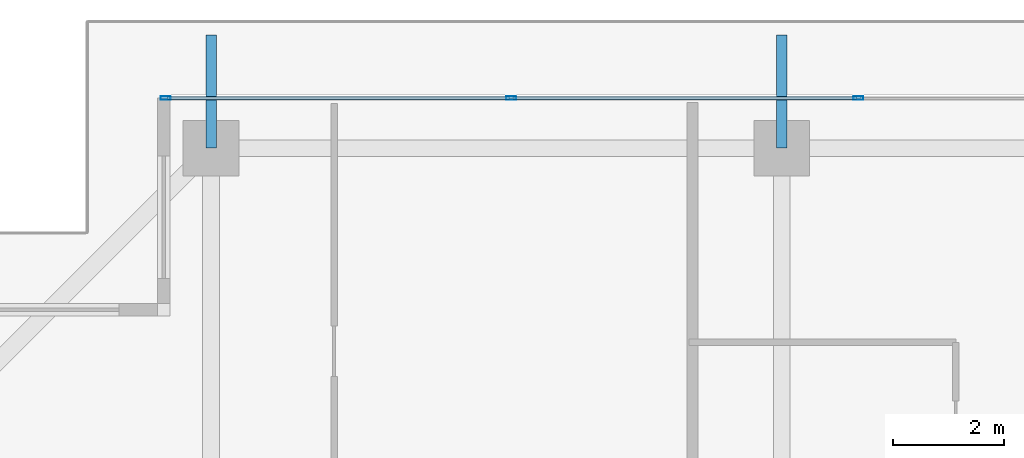
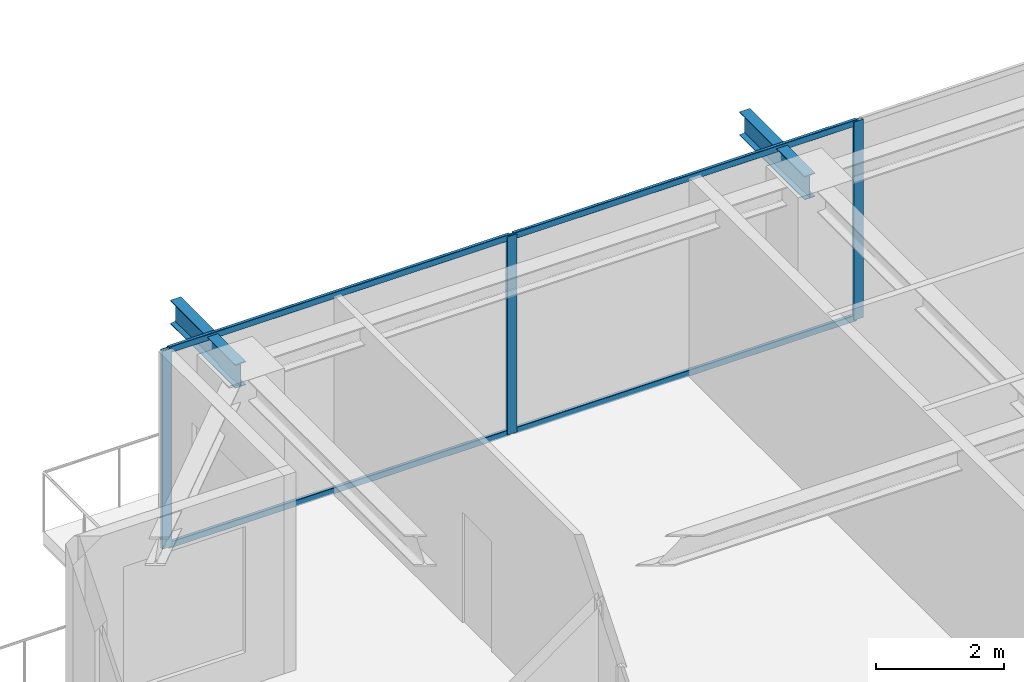
# One storey, part 21 of 38: 7 members, 2 beams, 1 element without a shape of its own.
"""IFC4 building model written with IfcOpenShell, lengths in metres."""

from ifc_helpers import new_model, si_unit, direction, frame, origin, origin_2d, place, context, subcontext, project, spatial, hollow_rectangle, i_section, extrude, source, transform, mapped, material, layer, layer_set, material_profile, profile_set, type_object, element, aggregate, save


model = new_model("IFC4")

# Units and contexts
model_context = context("Model", 3, precision=1e-05, world=origin(), true_north=direction((0.0, 1.0)))
body_context = subcontext(model_context, "Body", "Model", "MODEL_VIEW")
ifc_project = project(units=[si_unit("LENGTHUNIT", "METRE"), si_unit("AREAUNIT", "SQUARE_METRE"), si_unit("VOLUMEUNIT", "CUBIC_METRE"), si_unit("PLANEANGLEUNIT", "RADIAN"), si_unit("MASSUNIT", "GRAM", prefix="KILO")], contexts=[model_context])

# Site, building, storey
site_placement = place(None, origin())
site = spatial("IfcSite", under=ifc_project, at=site_placement, CompositionType="ELEMENT")
building_placement = place(site_placement, origin())
building = spatial("IfcBuilding", under=site, at=building_placement, Name="Serunith Strait Residences", CompositionType="ELEMENT")
storey_placement = place(building_placement, frame((0.0, 0.0, 321.800048828125)))
storey = spatial("IfcBuildingStorey", under=building, at=storey_placement, Name="L80", CompositionType="ELEMENT", Elevation=321.800048828125)

# Beams
ifc_material_1 = material(Name="Steel S355J2", Category="steel")
ifc_material_profile_1 = material_profile(ifc_material_1, i_section(OverallWidth=0.18994140625, OverallDepth=0.449951171875, WebThickness=0.009521484375, FlangeThickness=0.0146484375, FilletRadius=0.02099609375, at=origin_2d()), Name="IPE 450")
ifc_profile_set_1 = profile_set([ifc_material_profile_1], Name="Steel S355J2")
beam_type = type_object("IfcBeamType", Name="BM-IPE450", PredefinedType="JOIST", material=ifc_profile_set_1)
shared_shape_1 = source(origin(), body_context, "Body", "SweptSolid", [
    extrude(i_section(OverallWidth=0.18994140625, OverallDepth=0.449951171875, WebThickness=0.009521484375, FlangeThickness=0.0146484375, FilletRadius=0.02099609375, at=origin_2d()), origin(), (0.0, 0.0, 1.0), 2.02978515625),
])
for number, where, z_axis, x_axis, name in (
    (1, (17.64990234375, 47.10009765625, 3.531982421875), (0.0, 1.0, 0.0), (-1.0, 0.0, 0.0), "L81 Cantilevered Balcony Rib TC-N1"),
    (2, (27.89990234375, 47.10009765625, 3.531982421875), (0.0, 1.0, 0.0), (-1.0, 0.0, 0.0), "L81 Cantilevered Balcony Rib TC-N2"),
):
    element("IfcBeam", number, at=place(storey_placement, frame(where, z_axis=z_axis, x_axis=x_axis)), inside=storey, type_object=beam_type, Name=name, PredefinedType="JOIST", context=body_context, shape_type="MappedRepresentation", body=[
        mapped(shared_shape_1, transform((0.0, 0.0, 0.0), scale=1.0)),
    ])

# Curtain wall, members
ifc_material_2 = material(Name="Brushed Stainless-Silver Aluminium", Category="aluminium")
ifc_layer = layer(ifc_material_2, 0.199951171875, Name="Brushed Stainless-Silver Aluminium")
ifc_layer_set = layer_set([ifc_layer], Name="Brushed Stainless-Silver Aluminium")
curtain_wall_type = type_object("IfcCurtainWallType", Name="CW-SYS5", PredefinedType="NOTDEFINED", material=ifc_layer_set)
curtain_wall_placement = place(storey_placement, origin())
curtain_wall = element("IfcCurtainWall", 3, at=curtain_wall_placement, inside=storey, type_object=curtain_wall_type, Name="L80 N Unitised Fritted Curtain Wall", PredefinedType="NOTDEFINED")
ifc_material_profile_2 = material_profile(ifc_material_2, hollow_rectangle(XDim=0.06005859375, YDim=0.1201171875, WallThickness=0.00341796875, InnerFilletRadius=0.00537109375, OuterFilletRadius=0.0087890625, at=origin_2d()), Name="ALU 120x60x3.5")
ifc_profile_set_2 = profile_set([ifc_material_profile_2], Name="Brushed Stainless-Silver Aluminium")
member_type_1 = type_object("IfcMemberType", Name="CW-SYS5-TRAN", PredefinedType="USERDEFINED", material=ifc_profile_set_2)
shared_shape_2 = source(origin(), body_context, "Body", "SweptSolid", [
    extrude(hollow_rectangle(XDim=0.06005859375, YDim=0.1201171875, WallThickness=0.00341796875, InnerFilletRadius=0.00537109375, OuterFilletRadius=0.0087890625, at=origin_2d()), origin(), (0.0, 0.0, 1.0), 6.142578125),
])
member_1_placement = place(storey_placement, frame((23.007568359375, 48.0, 0.030029296875), z_axis=(-1.0, 0.0, 0.0), x_axis=(0.0, -1.0, 0.0)))
member_1 = element("IfcMember", 4, at=member_1_placement, type_object=member_type_1, Name="CW-5 transom 5.1", ObjectType="TRANSOM", PredefinedType="USERDEFINED", context=body_context, shape_type="MappedRepresentation", body=[
    mapped(shared_shape_2, transform((0.0, 0.0, 0.0), scale=1.0)),
])
member_2_placement = place(storey_placement, frame((23.007568359375, 48.0, 3.744873046875), z_axis=(-1.0, 0.0, 0.0), x_axis=(0.0, -1.0, 0.0)))
member_2 = element("IfcMember", 5, at=member_2_placement, type_object=member_type_1, Name="CW-5 transom 5.2", ObjectType="TRANSOM", PredefinedType="USERDEFINED", context=body_context, shape_type="MappedRepresentation", body=[
    mapped(shared_shape_2, transform((0.0, 0.0, 0.0), scale=1.0)),
])
shared_shape_3 = source(origin(), body_context, "Body", "SweptSolid", [
    extrude(hollow_rectangle(XDim=0.06005859375, YDim=0.1201171875, WallThickness=0.00341796875, InnerFilletRadius=0.00537109375, OuterFilletRadius=0.0087890625, at=origin_2d()), origin(), (0.0, 0.0, 1.0), 6.175048828125),
])
member_3_placement = place(storey_placement, frame((29.24755859375, 48.0, 0.030029296875), z_axis=(-1.0, 0.0, 0.0), x_axis=(0.0, -1.0, 0.0)))
member_3 = element("IfcMember", 6, at=member_3_placement, type_object=member_type_1, Name="CW-5 transom 4.1", ObjectType="TRANSOM", PredefinedType="USERDEFINED", context=body_context, shape_type="MappedRepresentation", body=[
    mapped(shared_shape_3, transform((0.0, 0.0, 0.0), scale=1.0)),
])
member_4_placement = place(storey_placement, frame((29.24755859375, 48.0, 3.744873046875), z_axis=(-1.0, 0.0, 0.0), x_axis=(0.0, -1.0, 0.0)))
member_4 = element("IfcMember", 7, at=member_4_placement, type_object=member_type_1, Name="CW-5 transom 4.2", ObjectType="TRANSOM", PredefinedType="USERDEFINED", context=body_context, shape_type="MappedRepresentation", body=[
    mapped(shared_shape_3, transform((0.0, 0.0, 0.0), scale=1.0)),
])
ifc_material_profile_3 = material_profile(ifc_material_2, hollow_rectangle(XDim=0.06494140625, YDim=0.179931640625, WallThickness=0.00341796875, InnerFilletRadius=0.00537109375, OuterFilletRadius=0.0087890625, at=origin_2d()), Name="ALU 180x65x3.5")
ifc_profile_set_3 = profile_set([ifc_material_profile_3], Name="Brushed Stainless-Silver Aluminium")
member_type_2 = type_object("IfcMemberType", Name="CW-SYS5-MULL", PredefinedType="MULLION", material=ifc_profile_set_3)
shared_shape_4 = source(origin(), body_context, "Body", "SweptSolid", [
    extrude(hollow_rectangle(XDim=0.06494140625, YDim=0.179931640625, WallThickness=0.00341796875, InnerFilletRadius=0.00537109375, OuterFilletRadius=0.0087890625, at=origin_2d()), origin(), (0.0, 0.0, 1.0), 3.77490234375),
])
member_5_placement = place(storey_placement, frame((29.280029296875, 48.0, 0.0), z_axis=(0.0, 0.0, 1.0), x_axis=(0.0, -1.0, 0.0)))
member_5 = element("IfcMember", 8, at=member_5_placement, type_object=member_type_2, Name="CW-5 mullion 4", PredefinedType="MULLION", context=body_context, shape_type="MappedRepresentation", body=[
    mapped(shared_shape_4, transform((0.0, 0.0, 0.0), scale=1.0)),
])
member_6_placement = place(storey_placement, frame((23.0400390625, 48.0, 0.0), z_axis=(0.0, 0.0, 1.0), x_axis=(0.0, -1.0, 0.0)))
member_6 = element("IfcMember", 9, at=member_6_placement, type_object=member_type_2, Name="CW-5 mullion 5", PredefinedType="MULLION", context=body_context, shape_type="MappedRepresentation", body=[
    mapped(shared_shape_4, transform((0.0, 0.0, 0.0), scale=1.0)),
])
member_7_placement = place(storey_placement, frame((16.83251953125, 48.0, 0.0), z_axis=(0.0, 0.0, 1.0), x_axis=(0.0, -1.0, 0.0)))
member_7 = element("IfcMember", 10, at=member_7_placement, type_object=member_type_2, Name="CW-5 mullion 6", PredefinedType="MULLION", context=body_context, shape_type="MappedRepresentation", body=[
    mapped(shared_shape_4, transform((0.0, 0.0, 0.0), scale=1.0)),
])
aggregate(curtain_wall, [member_5, member_6, member_7, member_3, member_4, member_1, member_2])

save(model, "model.ifc")
